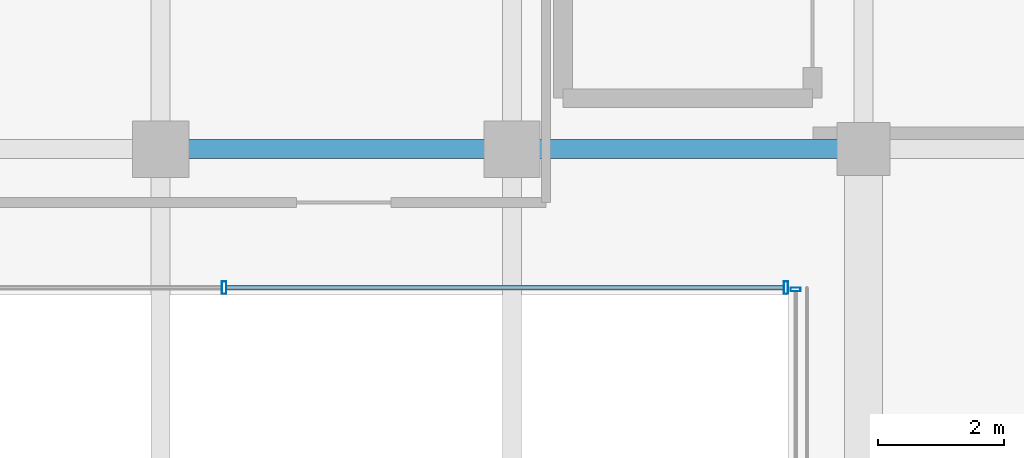
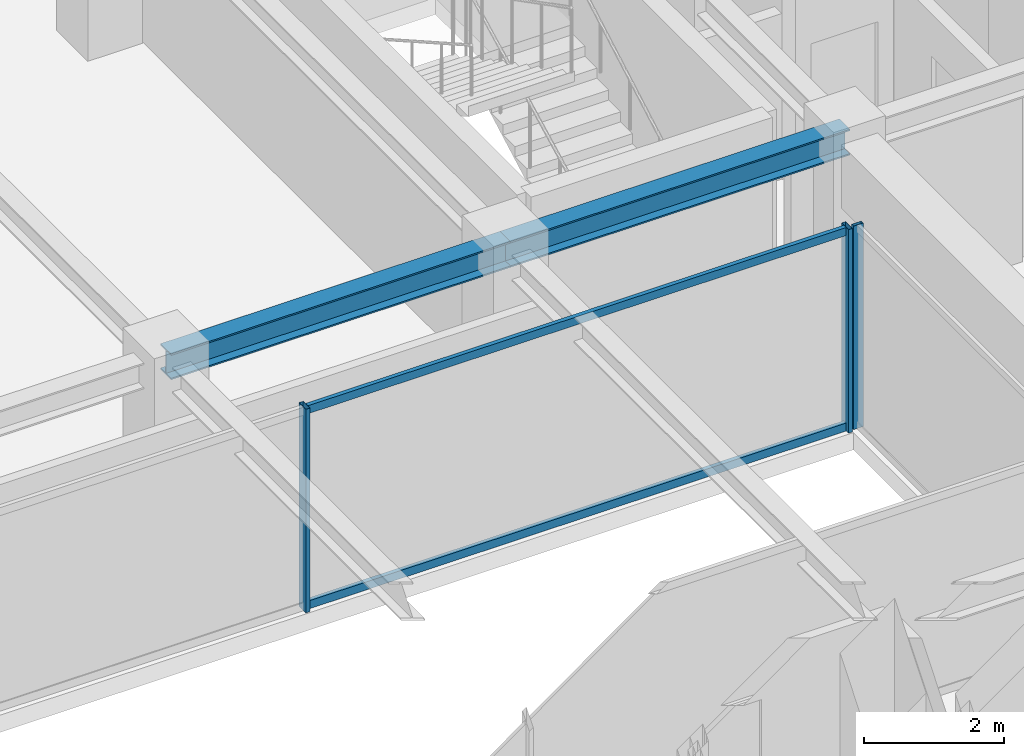
# One storey, part 16 of 39: 5 members, 2 beams, 2 elements without a shape of their own.
"""IFC4 building model written with IfcOpenShell, lengths in metres."""

from ifc_helpers import new_model, si_unit, direction, frame, origin, origin_2d, place, context, subcontext, project, spatial, hollow_rectangle, i_section, extrude, source, transform, mapped, material, material_profile, profile_set, type_object, element, aggregate, save


model = new_model("IFC4")

# Units and contexts
model_context = context("Model", 3, precision=1e-05, world=origin(), true_north=direction((0.0, 1.0)))
body_context = subcontext(model_context, "Body", "Model", "MODEL_VIEW")
ifc_project = project(units=[si_unit("LENGTHUNIT", "METRE"), si_unit("AREAUNIT", "SQUARE_METRE"), si_unit("VOLUMEUNIT", "CUBIC_METRE"), si_unit("PLANEANGLEUNIT", "RADIAN"), si_unit("MASSUNIT", "GRAM", prefix="KILO")], contexts=[model_context])

# Site, building, storey
site_placement = place(None, origin())
site = spatial("IfcSite", under=ifc_project, at=site_placement, CompositionType="ELEMENT")
building_placement = place(site_placement, origin())
building = spatial("IfcBuilding", under=site, at=building_placement, Name="Nahalor Promenade Grand Hotel", CompositionType="ELEMENT")
storey_placement = place(building_placement, frame((0.0, 0.0, 311.89990234375)))
storey = spatial("IfcBuildingStorey", under=building, at=storey_placement, Name="L80", CompositionType="ELEMENT", Elevation=311.89990234375)

# Beams
ifc_material_1 = material(Name="Steel S355JR", Category="steel")
ifc_material_profile_1 = material_profile(ifc_material_1, i_section(OverallWidth=0.3, OverallDepth=0.45, WebThickness=0.014, FlangeThickness=0.026, at=origin_2d()), Name="HEB 450")
ifc_profile_set_1 = profile_set([ifc_material_profile_1], Name="Steel S355JR")
beam_type = type_object("IfcBeamType", Name="Beam-Girder-HEB450", PredefinedType="BEAM", material=ifc_profile_set_1)
shared_shape_1 = source(origin(), body_context, "Body", "SweptSolid", [
    extrude(i_section(OverallWidth=0.3, OverallDepth=0.45, WebThickness=0.014, FlangeThickness=0.026, at=origin_2d()), origin(), (0.0, 0.0, 1.0), 5.599853515625),
])
beam_1_placement = place(storey_placement, frame((2.800048828125, 5.39990234375, 3.3251953125), z_axis=(1.0, 0.0, 0.0), x_axis=(0.0, 1.0, 0.0)))
element("IfcBeam", 1, at=beam_1_placement, inside=storey, type_object=beam_type, Name="BM-L80-GX-2-4", PredefinedType="BEAM", context=body_context, shape_type="MappedRepresentation", body=[
    mapped(shared_shape_1, transform((0.0, 0.0, 0.0), scale=1.0)),
])
shared_shape_2 = source(origin(), body_context, "Body", "SweptSolid", [
    extrude(i_section(OverallWidth=0.3, OverallDepth=0.45, WebThickness=0.014, FlangeThickness=0.026, at=origin_2d()), origin(), (0.0, 0.0, 1.0), 5.60009765625),
])
beam_2_placement = place(storey_placement, frame((-2.800048828125, 5.39990234375, 3.3251953125), z_axis=(1.0, 0.0, 0.0), x_axis=(0.0, 1.0, 0.0)))
element("IfcBeam", 2, at=beam_2_placement, inside=storey, type_object=beam_type, Name="BM-L80-GX-2-3", PredefinedType="BEAM", context=body_context, shape_type="MappedRepresentation", body=[
    mapped(shared_shape_2, transform((0.0, 0.0, 0.0), scale=1.0)),
])

# Curtain wall, members
ifc_material_2 = material(Name="Anodised Bronze Aluminium EN AW-6063 T6", Category="aluminium")
curtain_wall_type_1 = type_object("IfcCurtainWallType", Name="CW3 Elliptical-Void Collar Unitised Curtain Wall", PredefinedType="USERDEFINED", material=ifc_material_2)
curtain_wall_1_placement = place(storey_placement, origin())
curtain_wall_1 = element("IfcCurtainWall", 3, at=curtain_wall_1_placement, inside=storey, type_object=curtain_wall_type_1, Name="L80 Curtain Wall CW-L80-VOID-WN1", ObjectType="UNITISED_CURTAIN_WALL", PredefinedType="USERDEFINED")
ifc_material_profile_2 = material_profile(ifc_material_2, hollow_rectangle(XDim=0.07, YDim=0.14, WallThickness=0.004, at=origin_2d()), Name="CWT 70x140x4")
ifc_profile_set_2 = profile_set([ifc_material_profile_2], Name="Anodised Bronze Aluminium EN AW-6063 T6")
member_type_1 = type_object("IfcMemberType", Name="CWT3 Void Collar Transom 70x140", PredefinedType="USERDEFINED", material=ifc_profile_set_2)
shared_shape_3 = source(origin(), body_context, "Body", "SweptSolid", [
    extrude(hollow_rectangle(XDim=0.07, YDim=0.14, WallThickness=0.004, at=origin_2d()), origin(), (0.0, 0.0, 1.0), 8.881591796875),
])
member_1_placement = place(storey_placement, frame((-1.751708984375, 3.19091796875, 0.070068359375), z_axis=(1.0, 0.0, 0.0), x_axis=(0.0, 1.0, 0.0)))
member_1 = element("IfcMember", 4, at=member_1_placement, type_object=member_type_1, Name="CW-L80-VOID-WN1 Transom 2-0", ObjectType="TRANSOM", PredefinedType="USERDEFINED", context=body_context, shape_type="MappedRepresentation", body=[
    mapped(shared_shape_3, transform((0.0, 0.0, 0.0), scale=1.0)),
])
member_2_placement = place(storey_placement, frame((-1.751708984375, 3.19091796875, 3.47998046875), z_axis=(1.0, 0.0, 0.0), x_axis=(0.0, 1.0, 0.0)))
member_2 = element("IfcMember", 5, at=member_2_placement, type_object=member_type_1, Name="CW-L80-VOID-WN1 Transom 2-1", ObjectType="TRANSOM", PredefinedType="USERDEFINED", context=body_context, shape_type="MappedRepresentation", body=[
    mapped(shared_shape_3, transform((0.0, 0.0, 0.0), scale=1.0)),
])
ifc_material_profile_3 = material_profile(ifc_material_2, hollow_rectangle(XDim=0.07, YDim=0.2, WallThickness=0.005, at=origin_2d()), Name="CWM 70x200x5")
ifc_profile_set_3 = profile_set([ifc_material_profile_3], Name="Anodised Bronze Aluminium EN AW-6063 T6")
member_type_2 = type_object("IfcMemberType", Name="CWM3 Void Collar Mullion 70x200", PredefinedType="MULLION", material=ifc_profile_set_3)
shared_shape_4 = source(origin(), body_context, "Body", "SweptSolid", [
    extrude(hollow_rectangle(XDim=0.07, YDim=0.2, WallThickness=0.005, at=origin_2d()), origin(), (0.0, 0.0, 1.0), 3.550048828125),
])
member_3_placement = place(storey_placement, frame((-1.78662109375, 3.19091796875, 0.0), z_axis=(0.0, 0.0, 1.0), x_axis=(1.0, 0.0, 0.0)))
member_3 = element("IfcMember", 6, at=member_3_placement, type_object=member_type_2, Name="CW-L80-VOID-WN1 Mullion 2", PredefinedType="MULLION", context=body_context, shape_type="MappedRepresentation", body=[
    mapped(shared_shape_4, transform((0.0, 0.0, 0.0), scale=1.0)),
])
member_4_placement = place(storey_placement, frame((7.1650390625, 3.19091796875, 0.0), z_axis=(0.0, 0.0, 1.0), x_axis=(1.0, 0.0, 0.0)))
member_4 = element("IfcMember", 7, at=member_4_placement, type_object=member_type_2, Name="CW-L80-VOID-WN1 Mullion 3", PredefinedType="MULLION", context=body_context, shape_type="MappedRepresentation", body=[
    mapped(shared_shape_4, transform((0.0, 0.0, 0.0), scale=1.0)),
])
aggregate(curtain_wall_1, [member_3, member_4, member_1, member_2])

# Curtain wall, member
curtain_wall_type_2 = type_object("IfcCurtainWallType", Name="CW4 Low-Iron Sky-Gallery Bridge Curtain Wall", PredefinedType="USERDEFINED", material=ifc_material_2)
curtain_wall_2_placement = place(storey_placement, origin())
curtain_wall_2 = element("IfcCurtainWall", 8, at=curtain_wall_2_placement, inside=storey, type_object=curtain_wall_type_2, Name="L80 Curtain Wall CW-L80-BRG-W", ObjectType="UNITISED_CURTAIN_WALL", PredefinedType="USERDEFINED")
ifc_material_profile_4 = material_profile(ifc_material_2, hollow_rectangle(XDim=0.06, YDim=0.16, WallThickness=0.004, at=origin_2d()), Name="CWM 60x160x4")
ifc_profile_set_4 = profile_set([ifc_material_profile_4], Name="Anodised Bronze Aluminium EN AW-6063 T6")
member_type_3 = type_object("IfcMemberType", Name="CWM4 Sky-Gallery Slim Mullion 60x160", PredefinedType="MULLION", material=ifc_profile_set_4)
shared_shape_5 = source(origin(), body_context, "Body", "SweptSolid", [
    extrude(hollow_rectangle(XDim=0.06, YDim=0.16, WallThickness=0.004, at=origin_2d()), origin(), (0.0, 0.0, 1.0), 3.550048828125),
])
member_5_placement = place(storey_placement, frame((7.320068359375, 3.160888671875, 0.0), z_axis=(0.0, 0.0, 1.0), x_axis=(0.0, 1.0, 0.0)))
member_5 = element("IfcMember", 9, at=member_5_placement, type_object=member_type_3, Name="CW-L80-BRG-W Mullion 1", PredefinedType="MULLION", context=body_context, shape_type="MappedRepresentation", body=[
    mapped(shared_shape_5, transform((0.0, 0.0, 0.0), scale=1.0)),
])
aggregate(curtain_wall_2, [member_5])

save(model, "model.ifc")
